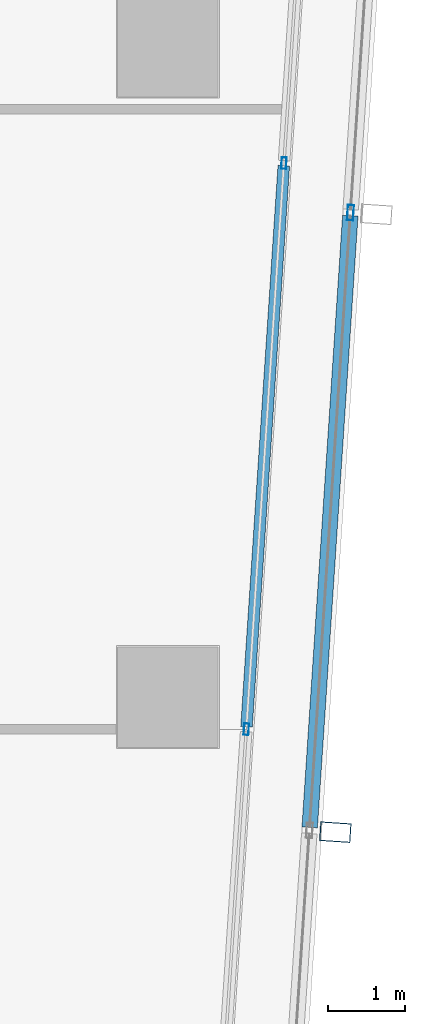
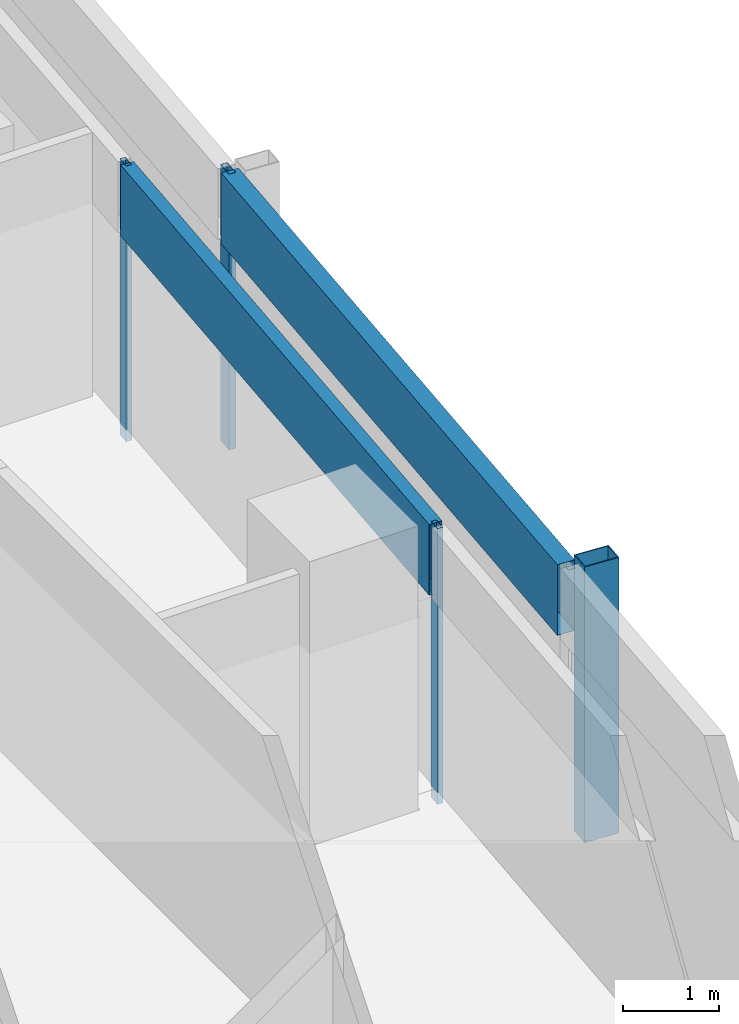
# One storey, part 12 of 30: 6 members, 2 elements without a shape of their own.
"""IFC4 building model written with IfcOpenShell, lengths in metres."""

from ifc_helpers import new_model, si_unit, direction, frame, origin, origin_2d, place, context, subcontext, project, spatial, hollow_rectangle, extrude, material, material_profile, profile_set, type_object, element, aggregate, save


model = new_model("IFC4")

# Units and contexts
model_context = context("Model", 3, precision=1e-05, world=origin(), true_north=direction((0.0, 1.0)))
body_context = subcontext(model_context, "Body", "Model", "MODEL_VIEW")
ifc_project = project(units=[si_unit("LENGTHUNIT", "METRE"), si_unit("AREAUNIT", "SQUARE_METRE"), si_unit("VOLUMEUNIT", "CUBIC_METRE"), si_unit("PLANEANGLEUNIT", "RADIAN"), si_unit("MASSUNIT", "GRAM", prefix="KILO")], contexts=[model_context])

# Site, building, storey
site_placement = place(None, origin())
site = spatial("IfcSite", under=ifc_project, at=site_placement, CompositionType="ELEMENT")
building_placement = place(site_placement, origin())
building = spatial("IfcBuilding", under=site, at=building_placement, Name="Rekha Terrace Tower", CompositionType="ELEMENT")
storey_placement = place(building_placement, frame((0.0, 0.0, 272.60009765625)))
storey = spatial("IfcBuildingStorey", under=building, at=storey_placement, Name="L69", CompositionType="ELEMENT", Elevation=272.60009765625)

# Curtain wall, member
ifc_material_1 = material(Name="Aluminium framing", Category="aluminium")
curtain_wall_type_1 = type_object("IfcCurtainWallType", Name="CW2 double skin outer glazing", PredefinedType="USERDEFINED", material=ifc_material_1)
curtain_wall_1_placement = place(storey_placement, origin())
curtain_wall_1 = element("IfcCurtainWall", 1, at=curtain_wall_1_placement, inside=storey, type_object=curtain_wall_type_1, Name="CW2 double skin outer glazing", ObjectType="DOUBLE SKIN OUTER GLAZING", PredefinedType="USERDEFINED")
ifc_material_2 = material(Name="Steel S355 with fluorocarbon finish", Category="steel")
ifc_material_profile_1 = material_profile(ifc_material_2, hollow_rectangle(XDim=0.25, YDim=0.39990234375, WallThickness=0.012451171875, at=origin_2d()), Name="RHS400x250x12.5")
ifc_profile_set_1 = profile_set([ifc_material_profile_1], Name="Steel S355 with fluorocarbon finish")
member_type_1 = type_object("IfcMemberType", Name="BL1 facade blade RHS 400 x 250", PredefinedType="USERDEFINED", material=ifc_profile_set_1)
member_1_placement = place(storey_placement, frame((60.9638671875, 23.45751953125, 0.0), z_axis=(0.0, 0.0, 1.0), x_axis=(0.066272158908, 0.99780158396, 0.0)))
member_1 = element("IfcMember", 2, at=member_1_placement, type_object=member_type_1, Name="Facade blade", ObjectType="FACADE BLADE", PredefinedType="USERDEFINED", context=body_context, shape_type="SweptSolid", body=[
    extrude(hollow_rectangle(XDim=0.25, YDim=0.39990234375, WallThickness=0.012451171875, at=origin_2d()), origin(), (0.0, 0.0, 1.0), 3.5),
])

# Curtain wall, members
curtain_wall_type_2 = type_object("IfcCurtainWallType", Name="CW1 double skin inner glazing", PredefinedType="USERDEFINED", material=ifc_material_1)
curtain_wall_2_placement = place(storey_placement, origin())
curtain_wall_2 = element("IfcCurtainWall", 3, at=curtain_wall_2_placement, inside=storey, type_object=curtain_wall_type_2, Name="CW1 double skin inner glazing", ObjectType="DOUBLE SKIN INNER GLAZING", PredefinedType="USERDEFINED")
ifc_material_3 = material(Name="Aluminium mullion section", Category="aluminium")
ifc_material_profile_2 = material_profile(ifc_material_3, hollow_rectangle(XDim=0.06494140625, YDim=0.14990234375, WallThickness=0.00390625, at=origin_2d()), Name="AL RHS 65x150")
ifc_profile_set_2 = profile_set([ifc_material_profile_2], Name="Aluminium mullion section")
member_type_2 = type_object("IfcMemberType", Name="CW1 mullion RHS 65 x 150", PredefinedType="MULLION", material=ifc_profile_set_2)
member_2_placement = place(storey_placement, frame((59.814453125, 24.78662109375, 0.0), z_axis=(0.0, 0.0, 1.0), x_axis=(-0.997801621769, 0.066271589649, 0.0)))
member_2 = element("IfcMember", 4, at=member_2_placement, type_object=member_type_2, Name="CW1 mullion 2", PredefinedType="MULLION", context=body_context, shape_type="SweptSolid", body=[
    extrude(hollow_rectangle(XDim=0.06494140625, YDim=0.14990234375, WallThickness=0.00390625, at=origin_2d()), origin(), (0.0, 0.0, 1.0), 3.5),
])
member_3_placement = place(storey_placement, frame((60.300048828125, 32.0966796875, 0.0), z_axis=(0.0, 0.0, 1.0), x_axis=(-0.997801621769, 0.066271589649, 0.0)))
member_3 = element("IfcMember", 5, at=member_3_placement, type_object=member_type_2, Name="CW1 mullion 3", PredefinedType="MULLION", context=body_context, shape_type="SweptSolid", body=[
    extrude(hollow_rectangle(XDim=0.06494140625, YDim=0.14990234375, WallThickness=0.00390625, at=origin_2d()), origin(), (0.0, 0.0, 1.0), 3.5),
])
ifc_material_4 = material(Name="Insulated aluminium spandrel box", Category="aluminium")
ifc_material_profile_3 = material_profile(ifc_material_4, hollow_rectangle(XDim=0.14990234375, YDim=0.89990234375, WallThickness=0.0029296875, at=origin_2d()), Name="AL SPANDREL BOX 150x900")
ifc_profile_set_3 = profile_set([ifc_material_profile_3], Name="Insulated aluminium spandrel box")
member_type_3 = type_object("IfcMemberType", Name="CW1 spandrel transom 150 x 900", PredefinedType="USERDEFINED", material=ifc_profile_set_3)
member_4_placement = place(storey_placement, frame((59.816650390625, 24.81884765625, 3.0498046875), z_axis=(0.066266851431, 0.997801936459, 0.0), x_axis=(-0.997801936459, 0.066266851431, 0.0)))
member_4 = element("IfcMember", 6, at=member_4_placement, type_object=member_type_3, Name="CW1 spandrel transom 2", ObjectType="TRANSOM", PredefinedType="USERDEFINED", context=body_context, shape_type="SweptSolid", body=[
    extrude(hollow_rectangle(XDim=0.14990234375, YDim=0.89990234375, WallThickness=0.0029296875, at=origin_2d()), origin(), (0.0, 0.0, 1.0), 7.261474609375),
])
aggregate(curtain_wall_2, [member_2, member_3, member_4])

# Member
ifc_material_profile_4 = material_profile(ifc_material_3, hollow_rectangle(XDim=0.080078125, YDim=0.199951171875, WallThickness=0.00390625, at=origin_2d()), Name="AL RHS 80x200")
ifc_profile_set_4 = profile_set([ifc_material_profile_4], Name="Aluminium mullion section")
member_type_4 = type_object("IfcMemberType", Name="CW2 mullion RHS 80 x 200", PredefinedType="MULLION", material=ifc_profile_set_4)
member_5_placement = place(storey_placement, frame((61.159423828125, 31.457275390625, 0.0), z_axis=(0.0, 0.0, 1.0), x_axis=(-0.997801621769, 0.066271589649, 0.0)))
member_5 = element("IfcMember", 7, at=member_5_placement, type_object=member_type_4, Name="CW2 mullion 3", PredefinedType="MULLION", context=body_context, shape_type="SweptSolid", body=[
    extrude(hollow_rectangle(XDim=0.080078125, YDim=0.199951171875, WallThickness=0.00390625, at=origin_2d()), origin(), (0.0, 0.0, 1.0), 3.5),
])

ifc_material_profile_5 = material_profile(ifc_material_4, hollow_rectangle(XDim=0.199951171875, YDim=0.89990234375, WallThickness=0.0029296875, at=origin_2d()), Name="AL SPANDREL BOX 200x900")
ifc_profile_set_5 = profile_set([ifc_material_profile_5], Name="Insulated aluminium spandrel box")
member_type_5 = type_object("IfcMemberType", Name="CW2 spandrel transom 200 x 900", PredefinedType="USERDEFINED", material=ifc_profile_set_5)
member_6_placement = place(storey_placement, frame((60.63232421875, 23.51953125, 3.0498046875), z_axis=(0.066252876442, 0.997802864479, 0.0), x_axis=(-0.997802864479, 0.066252876442, 0.0)))
member_6 = element("IfcMember", 8, at=member_6_placement, type_object=member_type_5, Name="CW2 spandrel transom 2", ObjectType="TRANSOM", PredefinedType="USERDEFINED", context=body_context, shape_type="SweptSolid", body=[
    extrude(hollow_rectangle(XDim=0.199951171875, YDim=0.89990234375, WallThickness=0.0029296875, at=origin_2d()), origin(), (0.0, 0.0, 1.0), 7.915283203125),
])

aggregate(curtain_wall_1, [member_5, member_6, member_1])

save(model, "model.ifc")
